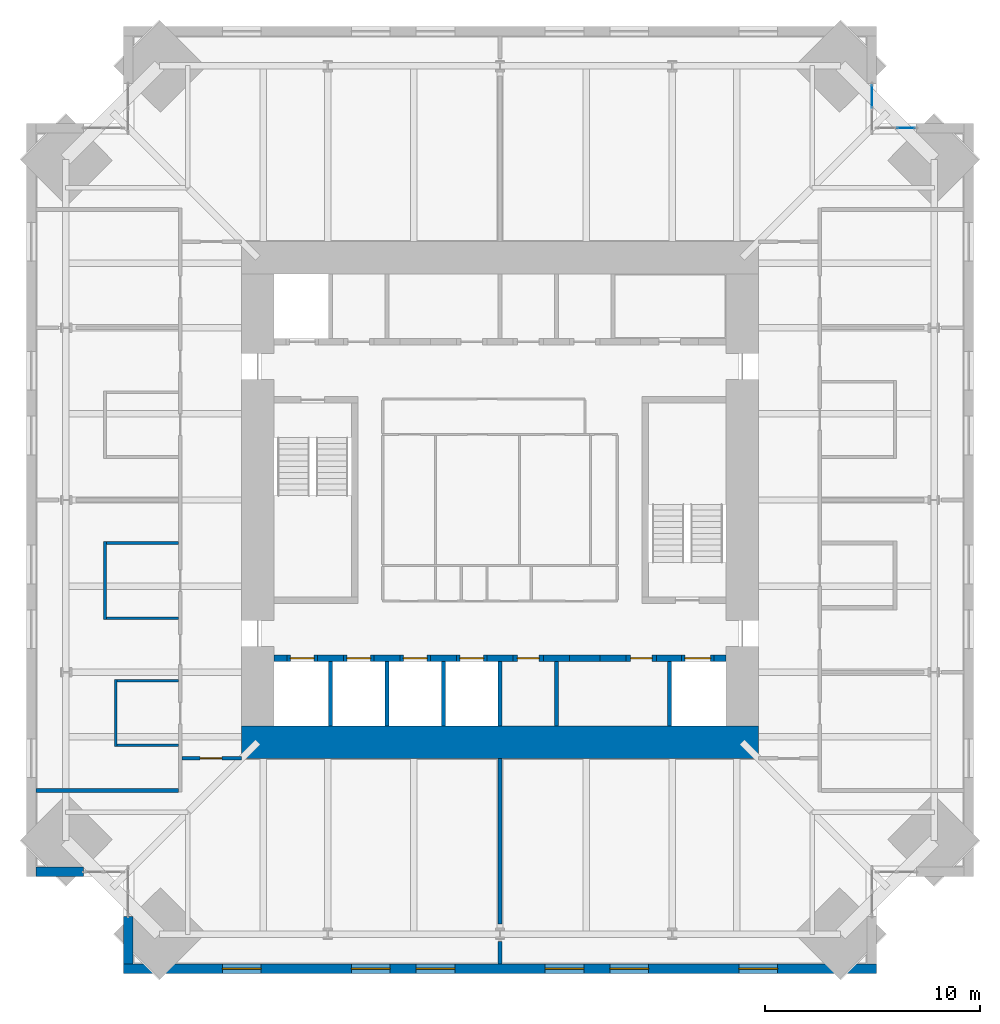
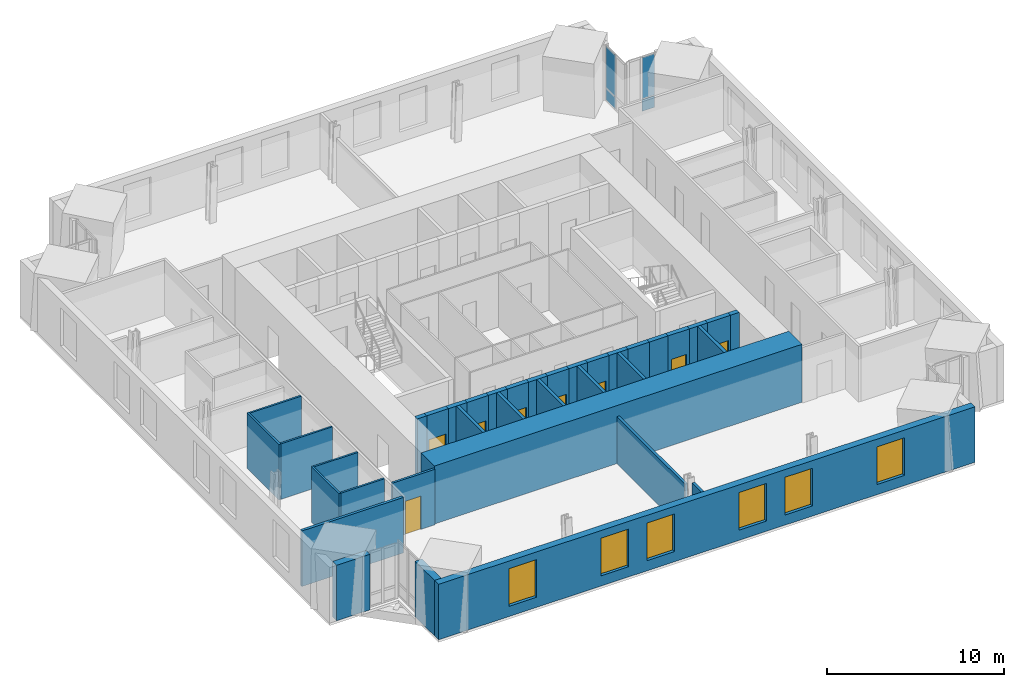
# One storey, part 11 of 16: 37 walls, 8 doors, 6 windows, 4 plates, 14 openings, 2 elements without a shape of their own.
"""IFC4 building model written with IfcOpenShell, lengths in metres."""

from ifc_helpers import new_model, si_unit, direction, frame, frame_2d, origin, origin_2d, place, context, subcontext, project, spatial, rectangle, extrude, material, layer, layer_set, type_object, element, fill, aggregate, save


model = new_model("IFC4")

# Units and contexts
model_context = context("Model", 3, precision=1e-05, world=origin(), true_north=direction((0.0, 1.0)))
body_context = subcontext(model_context, "Body", "Model", "MODEL_VIEW")
ifc_project = project(units=[si_unit("LENGTHUNIT", "METRE"), si_unit("AREAUNIT", "SQUARE_METRE"), si_unit("VOLUMEUNIT", "CUBIC_METRE"), si_unit("PLANEANGLEUNIT", "RADIAN"), si_unit("MASSUNIT", "GRAM", prefix="KILO")], contexts=[model_context])

# Site, building, storey
site_placement = place(None, origin())
site = spatial("IfcSite", under=ifc_project, at=site_placement, CompositionType="ELEMENT")
building_placement = place(site_placement, origin())
building = spatial("IfcBuilding", under=site, at=building_placement, Name="Peilmerk Tower", CompositionType="ELEMENT")
storey_placement = place(building_placement, frame((0.0, 0.0, 265.800048828125)))
storey = spatial("IfcBuildingStorey", under=building, at=storey_placement, Name="L59", CompositionType="ELEMENT", Elevation=265.800048828125)

# Curtain wall, plates
ifc_material_1 = material(Name="Aluminium stick curtain wall", Category="aluminium")
curtain_wall_type = type_object("IfcCurtainWallType", Name="CW4 stick curtain wall, 2250 module", PredefinedType="NOTDEFINED", material=ifc_material_1)
curtain_wall_1_placement = place(storey_placement, origin())
curtain_wall_1 = element("IfcCurtainWall", 1, at=curtain_wall_1_placement, inside=storey, type_object=curtain_wall_type, Name="Curtain wall CW4 NEA L59", PredefinedType="NOTDEFINED")
ifc_material_2 = material(Name="Clear insulated glazing unit", Category="glass")
ifc_layer_1 = layer(ifc_material_2, 0.028076171875)
ifc_layer_set_1 = layer_set([ifc_layer_1], Name="Clear insulated glazing unit")
plate_type = type_object("IfcPlateType", Name="CW4-P 28 glazed panel", PredefinedType="CURTAIN_PANEL", material=ifc_layer_set_1)
plate_1_placement = place(storey_placement, frame((17.27490234375, 18.750244140625, 0.06494140625), z_axis=(0.0, 0.0, 1.0), x_axis=(0.0, 1.0, 0.0)))
plate_1 = element("IfcPlate", 2, at=plate_1_placement, type_object=plate_type, Name="CW4 panel 2.1", PredefinedType="CURTAIN_PANEL", context=body_context, shape_type="SweptSolid", body=[
    extrude(rectangle(XDim=1.046875, YDim=0.028076171875, at=origin_2d()), origin(), (0.0, 0.0, 1.0), 0.802490234375),
])
plate_2_placement = place(storey_placement, frame((17.27490234375, 18.750244140625, 0.932373046875), z_axis=(0.0, 0.0, 1.0), x_axis=(0.0, 1.0, 0.0)))
plate_2 = element("IfcPlate", 3, at=plate_2_placement, type_object=plate_type, Name="CW4 panel 2.2", PredefinedType="CURTAIN_PANEL", context=body_context, shape_type="SweptSolid", body=[
    extrude(rectangle(XDim=1.046875, YDim=0.028076171875, at=origin_2d()), origin(), (0.0, 0.0, 1.0), 2.83251953125),
])
aggregate(curtain_wall_1, [plate_1, plate_2])

curtain_wall_2_placement = place(storey_placement, origin())
curtain_wall_2 = element("IfcCurtainWall", 4, at=curtain_wall_2_placement, inside=storey, type_object=curtain_wall_type, Name="Curtain wall CW4 NEB L59", PredefinedType="NOTDEFINED")
plate_3_placement = place(storey_placement, frame((18.86279296875, 17.27490234375, 0.06494140625), z_axis=(0.0, 0.0, 1.0), x_axis=(1.0, 0.0, 0.0)))
plate_3 = element("IfcPlate", 5, at=plate_3_placement, type_object=plate_type, Name="CW4 panel 2.1", PredefinedType="CURTAIN_PANEL", context=body_context, shape_type="SweptSolid", body=[
    extrude(rectangle(XDim=0.82177734375, YDim=0.028076171875, at=origin_2d()), origin(), (0.0, 0.0, 1.0), 0.802490234375),
])
plate_4_placement = place(storey_placement, frame((18.86279296875, 17.27490234375, 0.932373046875), z_axis=(0.0, 0.0, 1.0), x_axis=(1.0, 0.0, 0.0)))
plate_4 = element("IfcPlate", 6, at=plate_4_placement, type_object=plate_type, Name="CW4 panel 2.2", PredefinedType="CURTAIN_PANEL", context=body_context, shape_type="SweptSolid", body=[
    extrude(rectangle(XDim=0.82177734375, YDim=0.028076171875, at=origin_2d()), origin(), (0.0, 0.0, 1.0), 2.83251953125),
])
aggregate(curtain_wall_2, [plate_3, plate_4])

# Wall, openings, windows
ifc_material_3 = material(Name="Precast concrete C45/55, board-marked finish", Category="concrete")
ifc_layer_2 = layer(ifc_material_3, 0.449951171875)
ifc_layer_set_2 = layer_set([ifc_layer_2], Name="Precast concrete C45/55, board-marked finish")
wall_type_1 = type_object("IfcWallType", Name="EW1 450 precast concrete facade wall, board-marked", PredefinedType="SOLIDWALL", material=ifc_layer_set_2)
wall_1_placement = place(storey_placement, frame((-17.5, -21.77490234375, 0.0), z_axis=(0.0, 0.0, 1.0), x_axis=(1.0, 0.0, 0.0)))
wall_1 = element("IfcWall", 7, at=wall_1_placement, inside=storey, type_object=wall_type_1, Name="Facade wall S L59", PredefinedType="SOLIDWALL", context=body_context, shape_type="SweptSolid", body=[
    extrude(rectangle(XDim=35.0, YDim=0.449951171875, at=frame_2d((17.5, 0.0))), origin(), (0.0, 0.0, 1.0), 3.829833984375),
])
opening_1_placement = place(wall_1_placement, frame((4.60009765625, 0.0, 0.699951171875)))
opening_1 = element("IfcOpeningElement", 8, at=opening_1_placement, cuts=wall_1, Name="Opening W1", PredefinedType="OPENING", context=body_context, shape_type="SweptSolid", body=[
    extrude(rectangle(XDim=1.800048828125, YDim=2.60009765625, at=frame_2d((0.89990234375, 1.300048828125))), frame((0.0, 0.23486328125, 0.0), z_axis=(0.0, -1.0, 0.0), x_axis=(1.0, 0.0, 0.0)), (0.0, 0.0, 1.0), 0.469970703125),
])
opening_2_placement = place(wall_1_placement, frame((10.60009765625, 0.0, 0.699951171875)))
opening_2 = element("IfcOpeningElement", 9, at=opening_2_placement, cuts=wall_1, Name="Opening W1", PredefinedType="OPENING", context=body_context, shape_type="SweptSolid", body=[
    extrude(rectangle(XDim=1.800048828125, YDim=2.60009765625, at=frame_2d((0.89990234375, 1.300048828125))), frame((0.0, 0.23486328125, 0.0), z_axis=(0.0, -1.0, 0.0), x_axis=(1.0, 0.0, 0.0)), (0.0, 0.0, 1.0), 0.469970703125),
])
opening_3_placement = place(wall_1_placement, frame((13.60009765625, 0.0, 0.699951171875)))
opening_3 = element("IfcOpeningElement", 10, at=opening_3_placement, cuts=wall_1, Name="Opening W1", PredefinedType="OPENING", context=body_context, shape_type="SweptSolid", body=[
    extrude(rectangle(XDim=1.800048828125, YDim=2.60009765625, at=frame_2d((0.89990234375, 1.300048828125))), frame((0.0, 0.23486328125, 0.0), z_axis=(0.0, -1.0, 0.0), x_axis=(1.0, 0.0, 0.0)), (0.0, 0.0, 1.0), 0.469970703125),
])
opening_4_placement = place(wall_1_placement, frame((19.60009765625, 0.0, 0.699951171875)))
opening_4 = element("IfcOpeningElement", 11, at=opening_4_placement, cuts=wall_1, Name="Opening W1", PredefinedType="OPENING", context=body_context, shape_type="SweptSolid", body=[
    extrude(rectangle(XDim=1.800048828125, YDim=2.60009765625, at=frame_2d((0.89990234375, 1.300048828125))), frame((0.0, 0.23486328125, 0.0), z_axis=(0.0, -1.0, 0.0), x_axis=(1.0, 0.0, 0.0)), (0.0, 0.0, 1.0), 0.469970703125),
])
opening_5_placement = place(wall_1_placement, frame((22.60009765625, 0.0, 0.699951171875)))
opening_5 = element("IfcOpeningElement", 12, at=opening_5_placement, cuts=wall_1, Name="Opening W1", PredefinedType="OPENING", context=body_context, shape_type="SweptSolid", body=[
    extrude(rectangle(XDim=1.800048828125, YDim=2.60009765625, at=frame_2d((0.89990234375, 1.300048828125))), frame((0.0, 0.23486328125, 0.0), z_axis=(0.0, -1.0, 0.0), x_axis=(1.0, 0.0, 0.0)), (0.0, 0.0, 1.0), 0.469970703125),
])
opening_6_placement = place(wall_1_placement, frame((28.60009765625, 0.0, 0.699951171875)))
opening_6 = element("IfcOpeningElement", 13, at=opening_6_placement, cuts=wall_1, Name="Opening W1", PredefinedType="OPENING", context=body_context, shape_type="SweptSolid", body=[
    extrude(rectangle(XDim=1.800048828125, YDim=2.60009765625, at=frame_2d((0.89990234375, 1.300048828125))), frame((0.0, 0.23486328125, 0.0), z_axis=(0.0, -1.0, 0.0), x_axis=(1.0, 0.0, 0.0)), (0.0, 0.0, 1.0), 0.469970703125),
])
ifc_material_4 = material(Name="Aluminium frame, clear double glazing", Category="aluminium")
window_type = type_object("IfcWindowType", Name="W1 1800x2600 office window", PartitioningType="SINGLE_PANEL", PredefinedType="WINDOW", material=ifc_material_4)
window_1_placement = place(opening_1_placement, origin())
window_1 = element("IfcWindow", 14, at=window_1_placement, inside=storey, type_object=window_type, Name="Window W1 L59", OverallHeight=2.60009765625, OverallWidth=1.800048828125, PartitioningType="SINGLE_PANEL", PredefinedType="WINDOW", context=body_context, shape_type="SweptSolid", body=[
    extrude(rectangle(XDim=1.800048828125, YDim=2.60009765625, at=frame_2d((0.89990234375, 1.300048828125))), frame((0.0, 0.030029296875, 0.0), z_axis=(0.0, -1.0, 0.0), x_axis=(1.0, 0.0, 0.0)), (0.0, 0.0, 1.0), 0.06005859375),
])
fill(opening_1, window_1)
window_2_placement = place(opening_2_placement, origin())
window_2 = element("IfcWindow", 15, at=window_2_placement, inside=storey, type_object=window_type, Name="Window W1 L59", OverallHeight=2.60009765625, OverallWidth=1.800048828125, PartitioningType="SINGLE_PANEL", PredefinedType="WINDOW", context=body_context, shape_type="SweptSolid", body=[
    extrude(rectangle(XDim=1.800048828125, YDim=2.60009765625, at=frame_2d((0.89990234375, 1.300048828125))), frame((0.0, 0.030029296875, 0.0), z_axis=(0.0, -1.0, 0.0), x_axis=(1.0, 0.0, 0.0)), (0.0, 0.0, 1.0), 0.06005859375),
])
fill(opening_2, window_2)
window_3_placement = place(opening_3_placement, origin())
window_3 = element("IfcWindow", 16, at=window_3_placement, inside=storey, type_object=window_type, Name="Window W1 L59", OverallHeight=2.60009765625, OverallWidth=1.800048828125, PartitioningType="SINGLE_PANEL", PredefinedType="WINDOW", context=body_context, shape_type="SweptSolid", body=[
    extrude(rectangle(XDim=1.800048828125, YDim=2.60009765625, at=frame_2d((0.89990234375, 1.300048828125))), frame((0.0, 0.030029296875, 0.0), z_axis=(0.0, -1.0, 0.0), x_axis=(1.0, 0.0, 0.0)), (0.0, 0.0, 1.0), 0.06005859375),
])
fill(opening_3, window_3)
window_4_placement = place(opening_4_placement, origin())
window_4 = element("IfcWindow", 17, at=window_4_placement, inside=storey, type_object=window_type, Name="Window W1 L59", OverallHeight=2.60009765625, OverallWidth=1.800048828125, PartitioningType="SINGLE_PANEL", PredefinedType="WINDOW", context=body_context, shape_type="SweptSolid", body=[
    extrude(rectangle(XDim=1.800048828125, YDim=2.60009765625, at=frame_2d((0.89990234375, 1.300048828125))), frame((0.0, 0.030029296875, 0.0), z_axis=(0.0, -1.0, 0.0), x_axis=(1.0, 0.0, 0.0)), (0.0, 0.0, 1.0), 0.06005859375),
])
fill(opening_4, window_4)
window_5_placement = place(opening_5_placement, origin())
window_5 = element("IfcWindow", 18, at=window_5_placement, inside=storey, type_object=window_type, Name="Window W1 L59", OverallHeight=2.60009765625, OverallWidth=1.800048828125, PartitioningType="SINGLE_PANEL", PredefinedType="WINDOW", context=body_context, shape_type="SweptSolid", body=[
    extrude(rectangle(XDim=1.800048828125, YDim=2.60009765625, at=frame_2d((0.89990234375, 1.300048828125))), frame((0.0, 0.030029296875, 0.0), z_axis=(0.0, -1.0, 0.0), x_axis=(1.0, 0.0, 0.0)), (0.0, 0.0, 1.0), 0.06005859375),
])
fill(opening_5, window_5)
window_6_placement = place(opening_6_placement, origin())
window_6 = element("IfcWindow", 19, at=window_6_placement, inside=storey, type_object=window_type, Name="Window W1 L59", OverallHeight=2.60009765625, OverallWidth=1.800048828125, PartitioningType="SINGLE_PANEL", PredefinedType="WINDOW", context=body_context, shape_type="SweptSolid", body=[
    extrude(rectangle(XDim=1.800048828125, YDim=2.60009765625, at=frame_2d((0.89990234375, 1.300048828125))), frame((0.0, 0.030029296875, 0.0), z_axis=(0.0, -1.0, 0.0), x_axis=(1.0, 0.0, 0.0)), (0.0, 0.0, 1.0), 0.06005859375),
])
fill(opening_6, window_6)

# Walls
for number, where, z_axis, x_axis, name in (
    (20, (-17.27490234375, -19.353759765625, 0.0), (0.0, 0.0, 1.0), (0.0, -1.0, 0.0), "Facade wall SWA L59"),
    (21, (-19.353759765625, -17.27490234375, 0.0), (0.0, 0.0, 1.0), (-1.0, 0.0, 0.0), "Facade wall SWB L59"),
):
    element("IfcWall", number, at=place(storey_placement, frame(where, z_axis=z_axis, x_axis=x_axis)), inside=storey, type_object=wall_type_1, Name=name, PredefinedType="SOLIDWALL", context=body_context, shape_type="SweptSolid", body=[
        extrude(rectangle(XDim=2.1962890625, YDim=0.449951171875, at=frame_2d((1.09814453125, 0.0))), origin(), (0.0, 0.0, 1.0), 3.829833984375),
    ])

# Wall, opening, door
ifc_material_5 = material(Name="Calcium silicate block", Category="masonry")
ifc_layer_3 = layer(ifc_material_5, 0.14990234375)
ifc_layer_set_3 = layer_set([ifc_layer_3], Name="Calcium silicate block")
wall_type_2 = type_object("IfcWallType", Name="IW1 150 corridor partition, EI 60", PredefinedType="PARTITIONING", material=ifc_layer_set_3)
wall_2_placement = place(storey_placement, frame((-12.0, -12.0, 0.0), z_axis=(0.0, 0.0, 1.0), x_axis=(-1.0, 0.0, 0.0)))
wall_2 = element("IfcWall", 22, at=wall_2_placement, inside=storey, type_object=wall_type_2, Name="Corridor wall SW L59", PredefinedType="PARTITIONING", context=body_context, shape_type="SweptSolid", body=[
    extrude(rectangle(XDim=2.77490234375, YDim=0.14990234375, at=frame_2d((1.387451171875, 0.0))), origin(), (0.0, 0.0, 1.0), 3.829833984375),
])
opening_7_placement = place(wall_2_placement, frame((0.925048828125, 0.0, 0.0)))
opening_7 = element("IfcOpeningElement", 23, at=opening_7_placement, cuts=wall_2, Name="Opening D1", PredefinedType="OPENING", context=body_context, shape_type="SweptSolid", body=[
    extrude(rectangle(XDim=1.0, YDim=2.300048828125, at=frame_2d((0.5, 1.14990234375))), frame((0.0, 0.0849609375, 0.0), z_axis=(0.0, -1.0, 0.0), x_axis=(1.0, 0.0, 0.0)), (0.0, 0.0, 1.0), 0.169921875),
])
ifc_material_6 = material(Name="Timber door in steel frame", Category="steel")
door_type_1 = type_object("IfcDoorType", Name="D1 1000x2300 room door, EI2 30", OperationType="SINGLE_SWING_LEFT", PredefinedType="DOOR", material=ifc_material_6)
door_1_placement = place(opening_7_placement, origin())
door_1 = element("IfcDoor", 24, at=door_1_placement, inside=storey, type_object=door_type_1, Name="Door Office L59", OperationType="SINGLE_SWING_LEFT", OverallHeight=2.300048828125, OverallWidth=1.0, PredefinedType="DOOR", context=body_context, shape_type="SweptSolid", body=[
    extrude(rectangle(XDim=1.0, YDim=2.300048828125, at=frame_2d((0.5, 1.14990234375))), frame((0.0, 0.02490234375, 0.0), z_axis=(0.0, -1.0, 0.0), x_axis=(1.0, 0.0, 0.0)), (0.0, 0.0, 1.0), 0.050048828125),
])
fill(opening_7, door_1)

# Walls
ifc_material_7 = material(Name="Plasterboard on steel studs, double boarded with mineral wool", Category="steel")
ifc_layer_4 = layer(ifc_material_7, 0.125)
ifc_layer_set_4 = layer_set([ifc_layer_4], Name="Plasterboard on steel studs, double boarded with mineral wool")
wall_type_3 = type_object("IfcWallType", Name="IW7 125 acoustic partition, EI 30", PredefinedType="PARTITIONING", material=ifc_layer_set_4)
wall_3_placement = place(storey_placement, frame((-18.35009765625, -5.5625, 0.0), z_axis=(0.0, 0.0, 1.0), x_axis=(0.0, 1.0, 0.0)))
element("IfcWall", 25, at=wall_3_placement, inside=storey, type_object=wall_type_3, Name="Acoustic partition Meeting room L59", PredefinedType="PARTITIONING", context=body_context, shape_type="SweptSolid", body=[
    extrude(rectangle(XDim=3.625, YDim=0.125, at=frame_2d((1.8125, 0.0))), origin(), (0.0, 0.0, 1.0), 3.829833984375),
])
for number, where, z_axis, x_axis, name in (
    (26, (-14.925048828125, -5.5, 0.0), (0.0, 0.0, 1.0), (-1.0, 0.0, 0.0), "Acoustic partition Meeting room L59"),
    (27, (-14.925048828125, -2.0, 0.0), (0.0, 0.0, 1.0), (-1.0, 0.0, 0.0), "Acoustic partition Meeting room L59"),
):
    element("IfcWall", number, at=place(storey_placement, frame(where, z_axis=z_axis, x_axis=x_axis)), inside=storey, type_object=wall_type_3, Name=name, PredefinedType="PARTITIONING", context=body_context, shape_type="SweptSolid", body=[
        extrude(rectangle(XDim=3.362548828125, YDim=0.125, at=frame_2d((1.68115234375, 0.0))), origin(), (0.0, 0.0, 1.0), 3.829833984375),
    ])
wall_4_placement = place(storey_placement, frame((-17.85009765625, -11.46240234375, 0.0), z_axis=(0.0, 0.0, 1.0), x_axis=(0.0, 1.0, 0.0)))
element("IfcWall", 28, at=wall_4_placement, inside=storey, type_object=wall_type_3, Name="Acoustic partition Quiet room L59", PredefinedType="PARTITIONING", context=body_context, shape_type="SweptSolid", body=[
    extrude(rectangle(XDim=3.125, YDim=0.125, at=frame_2d((1.5625, 0.0))), origin(), (0.0, 0.0, 1.0), 3.829833984375),
])
for number, where, z_axis, x_axis, name in (
    (29, (-14.925048828125, -11.39990234375, 0.0), (0.0, 0.0, 1.0), (-1.0, 0.0, 0.0), "Acoustic partition Quiet room L59"),
    (30, (-14.925048828125, -8.39990234375, 0.0), (0.0, 0.0, 1.0), (-1.0, 0.0, 0.0), "Acoustic partition Quiet room L59"),
):
    element("IfcWall", number, at=place(storey_placement, frame(where, z_axis=z_axis, x_axis=x_axis)), inside=storey, type_object=wall_type_3, Name=name, PredefinedType="PARTITIONING", context=body_context, shape_type="SweptSolid", body=[
        extrude(rectangle(XDim=2.862548828125, YDim=0.125, at=frame_2d((1.43115234375, 0.0))), origin(), (0.0, 0.0, 1.0), 3.829833984375),
    ])
ifc_layer_5 = layer(ifc_material_5, 0.175048828125)
ifc_layer_set_5 = layer_set([ifc_layer_5], Name="Calcium silicate block")
wall_type_4 = type_object("IfcWallType", Name="IW8 175 tenant separating wall, EI 60", PredefinedType="PARTITIONING", material=ifc_layer_set_5)
wall_5_placement = place(storey_placement, frame((-14.925048828125, -13.5, 0.0), z_axis=(0.0, 0.0, 1.0), x_axis=(-1.0, 0.0, 0.0)))
element("IfcWall", 31, at=wall_5_placement, inside=storey, type_object=wall_type_4, Name="Tenant separating wall SW L59", PredefinedType="PARTITIONING", context=body_context, shape_type="SweptSolid", body=[
    extrude(rectangle(XDim=6.625, YDim=0.175048828125, at=frame_2d((3.3125, 0.0))), origin(), (0.0, 0.0, 1.0), 3.829833984375),
])
wall_6_placement = place(storey_placement, frame((0.0, -12.0, 0.0), z_axis=(0.0, 0.0, 1.0), x_axis=(0.0, -1.0, 0.0)))
element("IfcWall", 32, at=wall_6_placement, inside=storey, type_object=wall_type_4, Name="Tenant separating wall S1 L59", PredefinedType="PARTITIONING", context=body_context, shape_type="SweptSolid", body=[
    extrude(rectangle(XDim=7.68798828125, YDim=0.175048828125, at=frame_2d((3.843994140625, 0.0))), origin(), (0.0, 0.0, 1.0), 3.239990234375),
])
wall_7_placement = place(storey_placement, frame((0.0, -20.508544921875, 0.0), z_axis=(0.0, 0.0, 1.0), x_axis=(0.0, -1.0, 0.0)))
element("IfcWall", 33, at=wall_7_placement, inside=storey, type_object=wall_type_4, Name="Tenant separating wall S1b L59", PredefinedType="PARTITIONING", context=body_context, shape_type="SweptSolid", body=[
    extrude(rectangle(XDim=1.04150390625, YDim=0.175048828125, at=frame_2d((0.520751953125, 0.0))), origin(), (0.0, 0.0, 1.0), 3.829833984375),
])
ifc_layer_6 = layer(ifc_material_5, 0.199951171875)
ifc_layer_set_6 = layer_set([ifc_layer_6], Name="Calcium silicate block")
wall_type_5 = type_object("IfcWallType", Name="SH1 200 shaft dividing wall, EI 120", PredefinedType="PARTITIONING", material=ifc_layer_set_6)
for number, where, z_axis, x_axis, name in (
    (34, (-7.875, -10.5, 0.0), (0.0, 0.0, 1.0), (0.0, 1.0, 0.0), "Shaft wall S C4 L59"),
    (35, (-5.25, -10.5, 0.0), (0.0, 0.0, 1.0), (0.0, 1.0, 0.0), "Shaft wall S C3 L59"),
    (36, (-2.625, -10.5, 0.0), (0.0, 0.0, 1.0), (0.0, 1.0, 0.0), "Shaft wall S C2 L59"),
    (37, (0.0, -10.5, 0.0), (0.0, 0.0, 1.0), (0.0, 1.0, 0.0), "Shaft wall S C1 L59"),
    (38, (2.625, -10.5, 0.0), (0.0, 0.0, 1.0), (0.0, 1.0, 0.0), "Shaft wall S B3 L59"),
    (39, (7.875, -10.5, 0.0), (0.0, 0.0, 1.0), (0.0, 1.0, 0.0), "Shaft wall S B1 L59"),
):
    element("IfcWall", number, at=place(storey_placement, frame(where, z_axis=z_axis, x_axis=x_axis)), inside=storey, type_object=wall_type_5, Name=name, PredefinedType="PARTITIONING", context=body_context, shape_type="SweptSolid", body=[
        extrude(rectangle(XDim=3.0, YDim=0.199951171875, at=frame_2d((1.5, 0.0))), origin(), (0.0, 0.0, 1.0), 4.0),
    ])

# Wall, opening, door
ifc_layer_7 = layer(ifc_material_5, 0.300048828125)
ifc_layer_set_7 = layer_set([ifc_layer_7], Name="Calcium silicate block")
wall_type_6 = type_object("IfcWallType", Name="SH2 300 lift landing door panel, EI 120", PredefinedType="PARTITIONING", material=ifc_layer_set_7)
wall_8_placement = place(storey_placement, frame((-9.887451171875, -7.35009765625, 0.0), z_axis=(0.0, 0.0, 1.0), x_axis=(1.0, 0.0, 0.0)))
wall_8 = element("IfcWall", 40, at=wall_8_placement, inside=storey, type_object=wall_type_6, Name="Lift door panel S C4 L59", PredefinedType="PARTITIONING", context=body_context, shape_type="SweptSolid", body=[
    extrude(rectangle(XDim=1.39990234375, YDim=0.300048828125, at=frame_2d((0.699951171875, 0.0))), origin(), (0.0, 0.0, 1.0), 4.0),
])
opening_8_placement = place(wall_8_placement, frame((0.14990234375, 0.0, 0.0)))
opening_8 = element("IfcOpeningElement", 41, at=opening_8_placement, cuts=wall_8, Name="Opening LD1", PredefinedType="OPENING", context=body_context, shape_type="SweptSolid", body=[
    extrude(rectangle(XDim=1.10009765625, YDim=2.300048828125, at=frame_2d((0.550048828125, 1.14990234375))), frame((0.0, 0.159912109375, 0.0), z_axis=(0.0, -1.0, 0.0), x_axis=(1.0, 0.0, 0.0)), (0.0, 0.0, 1.0), 0.320068359375),
])
ifc_material_8 = material(Name="Stainless steel landing door", Category="steel")
door_type_2 = type_object("IfcDoorType", Name="LD1 1100x2300 lift landing door, sliding, EI2 60", OperationType="SLIDING_TO_LEFT", PredefinedType="DOOR", material=ifc_material_8)
door_2_placement = place(opening_8_placement, origin())
door_2 = element("IfcDoor", 42, at=door_2_placement, inside=storey, type_object=door_type_2, Name="Lift landing door C4 L59", OperationType="SLIDING_TO_LEFT", OverallHeight=2.300048828125, OverallWidth=1.10009765625, PredefinedType="DOOR", context=body_context, shape_type="SweptSolid", body=[
    extrude(rectangle(XDim=1.10009765625, YDim=2.300048828125, at=frame_2d((0.550048828125, 1.14990234375))), frame((0.0, 0.02490234375, 0.0), z_axis=(0.0, -1.0, 0.0), x_axis=(1.0, 0.0, 0.0)), (0.0, 0.0, 1.0), 0.050048828125),
])
fill(opening_8, door_2)

wall_9_placement = place(storey_placement, frame((-7.262451171875, -7.35009765625, 0.0), z_axis=(0.0, 0.0, 1.0), x_axis=(1.0, 0.0, 0.0)))
wall_9 = element("IfcWall", 43, at=wall_9_placement, inside=storey, type_object=wall_type_6, Name="Lift door panel S C3 L59", PredefinedType="PARTITIONING", context=body_context, shape_type="SweptSolid", body=[
    extrude(rectangle(XDim=1.39990234375, YDim=0.300048828125, at=frame_2d((0.699951171875, 0.0))), origin(), (0.0, 0.0, 1.0), 4.0),
])
opening_9_placement = place(wall_9_placement, frame((0.14990234375, 0.0, 0.0)))
opening_9 = element("IfcOpeningElement", 44, at=opening_9_placement, cuts=wall_9, Name="Opening LD1", PredefinedType="OPENING", context=body_context, shape_type="SweptSolid", body=[
    extrude(rectangle(XDim=1.10009765625, YDim=2.300048828125, at=frame_2d((0.550048828125, 1.14990234375))), frame((0.0, 0.159912109375, 0.0), z_axis=(0.0, -1.0, 0.0), x_axis=(1.0, 0.0, 0.0)), (0.0, 0.0, 1.0), 0.320068359375),
])
door_3_placement = place(opening_9_placement, origin())
door_3 = element("IfcDoor", 45, at=door_3_placement, inside=storey, type_object=door_type_2, Name="Lift landing door C3 L59", OperationType="SLIDING_TO_LEFT", OverallHeight=2.300048828125, OverallWidth=1.10009765625, PredefinedType="DOOR", context=body_context, shape_type="SweptSolid", body=[
    extrude(rectangle(XDim=1.10009765625, YDim=2.300048828125, at=frame_2d((0.550048828125, 1.14990234375))), frame((0.0, 0.02490234375, 0.0), z_axis=(0.0, -1.0, 0.0), x_axis=(1.0, 0.0, 0.0)), (0.0, 0.0, 1.0), 0.050048828125),
])
fill(opening_9, door_3)

wall_10_placement = place(storey_placement, frame((-4.637451171875, -7.35009765625, 0.0), z_axis=(0.0, 0.0, 1.0), x_axis=(1.0, 0.0, 0.0)))
wall_10 = element("IfcWall", 46, at=wall_10_placement, inside=storey, type_object=wall_type_6, Name="Lift door panel S C2 L59", PredefinedType="PARTITIONING", context=body_context, shape_type="SweptSolid", body=[
    extrude(rectangle(XDim=1.39990234375, YDim=0.300048828125, at=frame_2d((0.699951171875, 0.0))), origin(), (0.0, 0.0, 1.0), 4.0),
])
opening_10_placement = place(wall_10_placement, frame((0.14990234375, 0.0, 0.0)))
opening_10 = element("IfcOpeningElement", 47, at=opening_10_placement, cuts=wall_10, Name="Opening LD1", PredefinedType="OPENING", context=body_context, shape_type="SweptSolid", body=[
    extrude(rectangle(XDim=1.10009765625, YDim=2.300048828125, at=frame_2d((0.550048828125, 1.14990234375))), frame((0.0, 0.159912109375, 0.0), z_axis=(0.0, -1.0, 0.0), x_axis=(1.0, 0.0, 0.0)), (0.0, 0.0, 1.0), 0.320068359375),
])
door_4_placement = place(opening_10_placement, origin())
door_4 = element("IfcDoor", 48, at=door_4_placement, inside=storey, type_object=door_type_2, Name="Lift landing door C2 L59", OperationType="SLIDING_TO_LEFT", OverallHeight=2.300048828125, OverallWidth=1.10009765625, PredefinedType="DOOR", context=body_context, shape_type="SweptSolid", body=[
    extrude(rectangle(XDim=1.10009765625, YDim=2.300048828125, at=frame_2d((0.550048828125, 1.14990234375))), frame((0.0, 0.02490234375, 0.0), z_axis=(0.0, -1.0, 0.0), x_axis=(1.0, 0.0, 0.0)), (0.0, 0.0, 1.0), 0.050048828125),
])
fill(opening_10, door_4)

wall_11_placement = place(storey_placement, frame((-2.012451171875, -7.35009765625, 0.0), z_axis=(0.0, 0.0, 1.0), x_axis=(1.0, 0.0, 0.0)))
wall_11 = element("IfcWall", 49, at=wall_11_placement, inside=storey, type_object=wall_type_6, Name="Lift door panel S C1 L59", PredefinedType="PARTITIONING", context=body_context, shape_type="SweptSolid", body=[
    extrude(rectangle(XDim=1.39990234375, YDim=0.300048828125, at=frame_2d((0.699951171875, 0.0))), origin(), (0.0, 0.0, 1.0), 4.0),
])
opening_11_placement = place(wall_11_placement, frame((0.14990234375, 0.0, 0.0)))
opening_11 = element("IfcOpeningElement", 50, at=opening_11_placement, cuts=wall_11, Name="Opening LD1", PredefinedType="OPENING", context=body_context, shape_type="SweptSolid", body=[
    extrude(rectangle(XDim=1.10009765625, YDim=2.300048828125, at=frame_2d((0.550048828125, 1.14990234375))), frame((0.0, 0.159912109375, 0.0), z_axis=(0.0, -1.0, 0.0), x_axis=(1.0, 0.0, 0.0)), (0.0, 0.0, 1.0), 0.320068359375),
])
door_5_placement = place(opening_11_placement, origin())
door_5 = element("IfcDoor", 51, at=door_5_placement, inside=storey, type_object=door_type_2, Name="Lift landing door C1 L59", OperationType="SLIDING_TO_LEFT", OverallHeight=2.300048828125, OverallWidth=1.10009765625, PredefinedType="DOOR", context=body_context, shape_type="SweptSolid", body=[
    extrude(rectangle(XDim=1.10009765625, YDim=2.300048828125, at=frame_2d((0.550048828125, 1.14990234375))), frame((0.0, 0.02490234375, 0.0), z_axis=(0.0, -1.0, 0.0), x_axis=(1.0, 0.0, 0.0)), (0.0, 0.0, 1.0), 0.050048828125),
])
fill(opening_11, door_5)

wall_12_placement = place(storey_placement, frame((0.612548828125, -7.35009765625, 0.0), z_axis=(0.0, 0.0, 1.0), x_axis=(1.0, 0.0, 0.0)))
wall_12 = element("IfcWall", 52, at=wall_12_placement, inside=storey, type_object=wall_type_6, Name="Lift door panel S B3 L59", PredefinedType="PARTITIONING", context=body_context, shape_type="SweptSolid", body=[
    extrude(rectangle(XDim=1.39990234375, YDim=0.300048828125, at=frame_2d((0.699951171875, 0.0))), origin(), (0.0, 0.0, 1.0), 4.0),
])
opening_12_placement = place(wall_12_placement, frame((0.199951171875, 0.0, 0.0)))
opening_12 = element("IfcOpeningElement", 53, at=opening_12_placement, cuts=wall_12, Name="Opening D10", PredefinedType="OPENING", context=body_context, shape_type="SweptSolid", body=[
    extrude(rectangle(XDim=1.0, YDim=2.300048828125, at=frame_2d((0.5, 1.14990234375))), frame((0.0, 0.159912109375, 0.0), z_axis=(0.0, -1.0, 0.0), x_axis=(1.0, 0.0, 0.0)), (0.0, 0.0, 1.0), 0.320068359375),
])
ifc_material_9 = material(Name="Steel door in steel frame", Category="steel")
door_type_3 = type_object("IfcDoorType", Name="D10 1000x2300 core room door, EI2 60", OperationType="SINGLE_SWING_RIGHT", PredefinedType="DOOR", material=ifc_material_9)
door_6_placement = place(opening_12_placement, frame((1.0, 0.0, 0.0), z_axis=(0.0, 0.0, 1.0), x_axis=(-1.0, 0.0, 0.0)))
door_6 = element("IfcDoor", 54, at=door_6_placement, inside=storey, type_object=door_type_3, Name="Door Vending room L59", OperationType="SINGLE_SWING_RIGHT", OverallHeight=2.300048828125, OverallWidth=1.0, PredefinedType="DOOR", context=body_context, shape_type="SweptSolid", body=[
    extrude(rectangle(XDim=1.0, YDim=2.300048828125, at=frame_2d((0.5, 1.14990234375))), frame((0.0, 0.02490234375, 0.0), z_axis=(0.0, -1.0, 0.0), x_axis=(1.0, 0.0, 0.0)), (0.0, 0.0, 1.0), 0.050048828125),
])
fill(opening_12, door_6)

# Wall
wall_13_placement = place(storey_placement, frame((3.237548828125, -7.35009765625, 0.0), z_axis=(0.0, 0.0, 1.0), x_axis=(1.0, 0.0, 0.0)))
element("IfcWall", 55, at=wall_13_placement, inside=storey, type_object=wall_type_6, Name="Lift door panel S B2 L59", PredefinedType="PARTITIONING", context=body_context, shape_type="SweptSolid", body=[
    extrude(rectangle(XDim=1.39990234375, YDim=0.300048828125, at=frame_2d((0.699951171875, 0.0))), origin(), (0.0, 0.0, 1.0), 4.0),
])

# Wall, opening, door
wall_14_placement = place(storey_placement, frame((5.862548828125, -7.35009765625, 0.0), z_axis=(0.0, 0.0, 1.0), x_axis=(1.0, 0.0, 0.0)))
wall_14 = element("IfcWall", 56, at=wall_14_placement, inside=storey, type_object=wall_type_6, Name="Lift door panel S B1 L59", PredefinedType="PARTITIONING", context=body_context, shape_type="SweptSolid", body=[
    extrude(rectangle(XDim=1.39990234375, YDim=0.300048828125, at=frame_2d((0.699951171875, 0.0))), origin(), (0.0, 0.0, 1.0), 4.0),
])
opening_13_placement = place(wall_14_placement, frame((0.199951171875, 0.0, 0.0)))
opening_13 = element("IfcOpeningElement", 57, at=opening_13_placement, cuts=wall_14, Name="Opening D10", PredefinedType="OPENING", context=body_context, shape_type="SweptSolid", body=[
    extrude(rectangle(XDim=1.0, YDim=2.300048828125, at=frame_2d((0.5, 1.14990234375))), frame((0.0, 0.159912109375, 0.0), z_axis=(0.0, -1.0, 0.0), x_axis=(1.0, 0.0, 0.0)), (0.0, 0.0, 1.0), 0.320068359375),
])
door_7_placement = place(opening_13_placement, frame((1.0, 0.0, 0.0), z_axis=(0.0, 0.0, 1.0), x_axis=(-1.0, 0.0, 0.0)))
door_7 = element("IfcDoor", 58, at=door_7_placement, inside=storey, type_object=door_type_3, Name="Door Staff room L59", OperationType="SINGLE_SWING_RIGHT", OverallHeight=2.300048828125, OverallWidth=1.0, PredefinedType="DOOR", context=body_context, shape_type="SweptSolid", body=[
    extrude(rectangle(XDim=1.0, YDim=2.300048828125, at=frame_2d((0.5, 1.14990234375))), frame((0.0, 0.02490234375, 0.0), z_axis=(0.0, -1.0, 0.0), x_axis=(1.0, 0.0, 0.0)), (0.0, 0.0, 1.0), 0.050048828125),
])
fill(opening_13, door_7)

wall_15_placement = place(storey_placement, frame((8.4375, -7.35009765625, 0.0), z_axis=(0.0, 0.0, 1.0), x_axis=(1.0, 0.0, 0.0)))
wall_15 = element("IfcWall", 59, at=wall_15_placement, inside=storey, type_object=wall_type_6, Name="Lift door panel S FL2 L59", PredefinedType="PARTITIONING", context=body_context, shape_type="SweptSolid", body=[
    extrude(rectangle(XDim=1.5, YDim=0.300048828125, at=frame_2d((0.75, 0.0))), origin(), (0.0, 0.0, 1.0), 4.0),
])
opening_14_placement = place(wall_15_placement, frame((0.14990234375, 0.0, 0.0)))
opening_14 = element("IfcOpeningElement", 60, at=opening_14_placement, cuts=wall_15, Name="Opening LD2", PredefinedType="OPENING", context=body_context, shape_type="SweptSolid", body=[
    extrude(rectangle(XDim=1.199951171875, YDim=2.300048828125, at=frame_2d((0.60009765625, 1.14990234375))), frame((0.0, 0.159912109375, 0.0), z_axis=(0.0, -1.0, 0.0), x_axis=(1.0, 0.0, 0.0)), (0.0, 0.0, 1.0), 0.320068359375),
])
door_type_4 = type_object("IfcDoorType", Name="LD2 1200x2300 lift landing door, sliding, EI2 60", OperationType="SLIDING_TO_LEFT", PredefinedType="DOOR", material=ifc_material_8)
door_8_placement = place(opening_14_placement, origin())
door_8 = element("IfcDoor", 61, at=door_8_placement, inside=storey, type_object=door_type_4, Name="Lift landing door FL2 L59", OperationType="SLIDING_TO_LEFT", OverallHeight=2.300048828125, OverallWidth=1.199951171875, PredefinedType="DOOR", context=body_context, shape_type="SweptSolid", body=[
    extrude(rectangle(XDim=1.199951171875, YDim=2.300048828125, at=frame_2d((0.60009765625, 1.14990234375))), frame((0.0, 0.02490234375, 0.0), z_axis=(0.0, -1.0, 0.0), x_axis=(1.0, 0.0, 0.0)), (0.0, 0.0, 1.0), 0.050048828125),
])
fill(opening_14, door_8)

# Walls
ifc_material_10 = material(Name="Concrete C55/67", Category="concrete")
ifc_layer_8 = layer(ifc_material_10, 1.5)
ifc_layer_set_8 = layer_set([ifc_layer_8], Name="Concrete C55/67")
wall_type_7 = type_object("IfcWallType", Name="SW1 1500 core wall", PredefinedType="SHEAR", material=ifc_layer_set_8)
wall_16_placement = place(storey_placement, frame((12.0, -11.25, 0.0), z_axis=(0.0, 0.0, 1.0), x_axis=(-1.0, 0.0, 0.0)))
element("IfcWall", 62, at=wall_16_placement, inside=storey, type_object=wall_type_7, Name="Core wall S L59", PredefinedType="SHEAR", context=body_context, shape_type="SweptSolid", body=[
    extrude(rectangle(XDim=24.0, YDim=1.5, at=frame_2d((12.0, 0.0))), origin(), (0.0, 0.0, 1.0), 4.0),
])
ifc_layer_9 = layer(ifc_material_10, 0.300048828125)
ifc_layer_set_9 = layer_set([ifc_layer_9], Name="Concrete C55/67")
wall_type_8 = type_object("IfcWallType", Name="SW2 300 lift bank pier", PredefinedType="SHEAR", material=ifc_layer_set_9)
wall_17_placement = place(storey_placement, frame((-10.5, -7.35009765625, 0.0), z_axis=(0.0, 0.0, 1.0), x_axis=(1.0, 0.0, 0.0)))
element("IfcWall", 63, at=wall_17_placement, inside=storey, type_object=wall_type_8, Name="Lift bank pier S L59", PredefinedType="SHEAR", context=body_context, shape_type="SweptSolid", body=[
    extrude(rectangle(XDim=0.612548828125, YDim=0.300048828125, at=frame_2d((0.30615234375, 0.0))), origin(), (0.0, 0.0, 1.0), 4.0),
])
for number, where, z_axis, x_axis, name in (
    (64, (-8.487548828125, -7.35009765625, 0.0), (0.0, 0.0, 1.0), (1.0, 0.0, 0.0), "Lift bank pier S L59"),
    (65, (-5.862548828125, -7.35009765625, 0.0), (0.0, 0.0, 1.0), (1.0, 0.0, 0.0), "Lift bank pier S L59"),
    (66, (-3.237548828125, -7.35009765625, 0.0), (0.0, 0.0, 1.0), (1.0, 0.0, 0.0), "Lift bank pier S L59"),
    (67, (-0.612548828125, -7.35009765625, 0.0), (0.0, 0.0, 1.0), (1.0, 0.0, 0.0), "Lift bank pier S L59"),
    (68, (2.012451171875, -7.35009765625, 0.0), (0.0, 0.0, 1.0), (1.0, 0.0, 0.0), "Lift bank pier S L59"),
    (69, (4.637451171875, -7.35009765625, 0.0), (0.0, 0.0, 1.0), (1.0, 0.0, 0.0), "Lift bank pier S L59"),
):
    element("IfcWall", number, at=place(storey_placement, frame(where, z_axis=z_axis, x_axis=x_axis)), inside=storey, type_object=wall_type_8, Name=name, PredefinedType="SHEAR", context=body_context, shape_type="SweptSolid", body=[
        extrude(rectangle(XDim=1.22509765625, YDim=0.300048828125, at=frame_2d((0.612548828125, 0.0))), origin(), (0.0, 0.0, 1.0), 4.0),
    ])
wall_18_placement = place(storey_placement, frame((7.262451171875, -7.35009765625, 0.0), z_axis=(0.0, 0.0, 1.0), x_axis=(1.0, 0.0, 0.0)))
element("IfcWall", 70, at=wall_18_placement, inside=storey, type_object=wall_type_8, Name="Lift bank pier S L59", PredefinedType="SHEAR", context=body_context, shape_type="SweptSolid", body=[
    extrude(rectangle(XDim=1.175048828125, YDim=0.300048828125, at=frame_2d((0.58740234375, 0.0))), origin(), (0.0, 0.0, 1.0), 4.0),
])
wall_19_placement = place(storey_placement, frame((9.9375, -7.35009765625, 0.0), z_axis=(0.0, 0.0, 1.0), x_axis=(1.0, 0.0, 0.0)))
element("IfcWall", 71, at=wall_19_placement, inside=storey, type_object=wall_type_8, Name="Lift bank pier S L59", PredefinedType="SHEAR", context=body_context, shape_type="SweptSolid", body=[
    extrude(rectangle(XDim=0.5625, YDim=0.300048828125, at=frame_2d((0.28125, 0.0))), origin(), (0.0, 0.0, 1.0), 4.0),
])

save(model, "model.ifc")
